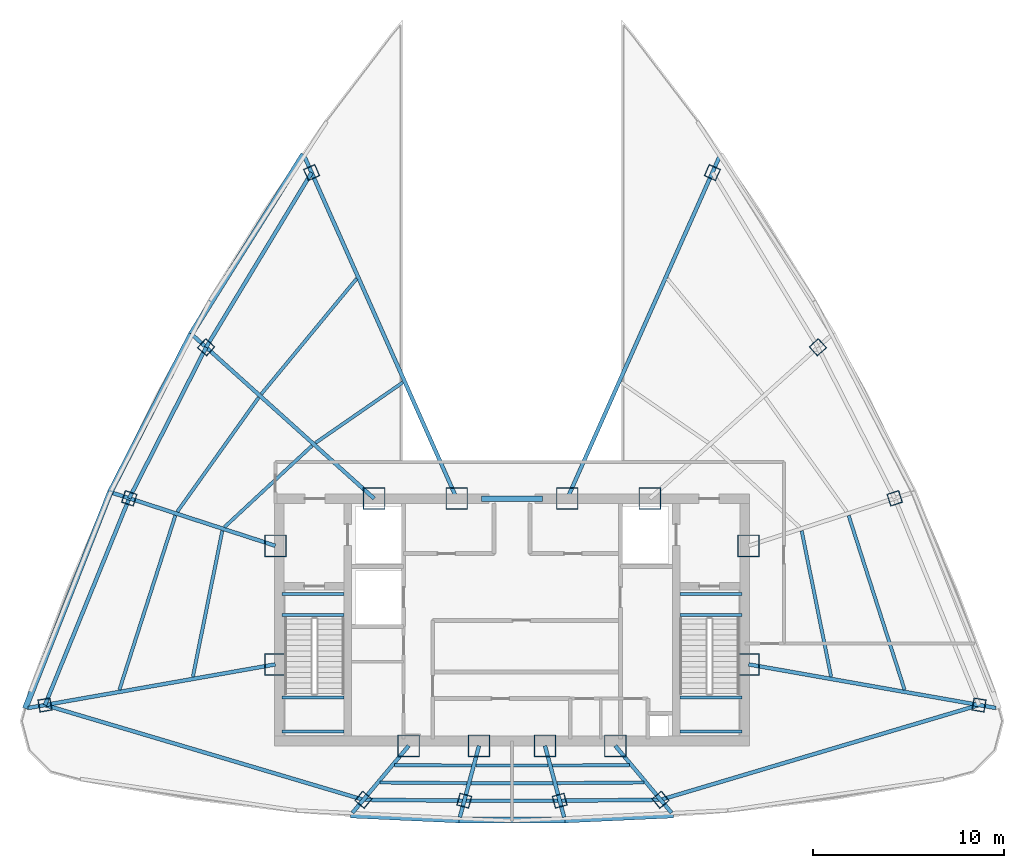
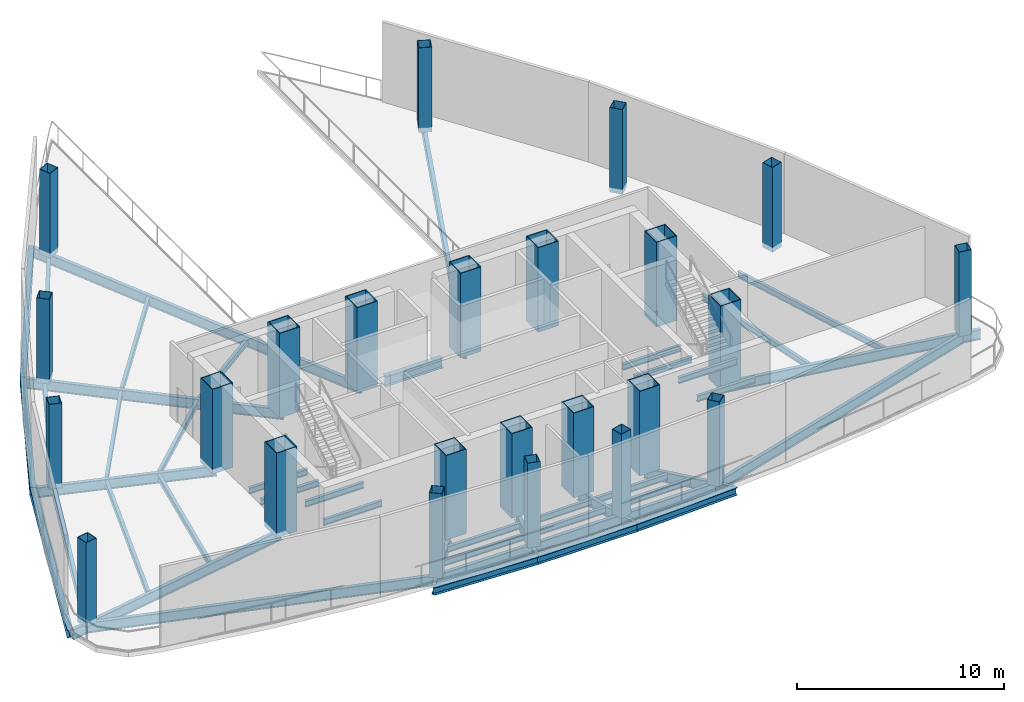
# One storey, part 1 of 6: 47 beams, 24 columns.
"""IFC4 building model written with IfcOpenShell, lengths in metres."""

from ifc_helpers import new_model, si_unit, direction, frame, origin, origin_2d, place, context, subcontext, project, spatial, hollow_rectangle, i_section, extrude, source, transform, mapped, material, material_profile, profile_set, type_object, element, save


model = new_model("IFC4")

# Units and contexts
model_context = context("Model", 3, precision=1e-05, world=origin(), true_north=direction((0.0, 1.0)))
body_context = subcontext(model_context, "Body", "Model", "MODEL_VIEW")
ifc_project = project(units=[si_unit("LENGTHUNIT", "METRE"), si_unit("AREAUNIT", "SQUARE_METRE"), si_unit("VOLUMEUNIT", "CUBIC_METRE"), si_unit("PLANEANGLEUNIT", "RADIAN"), si_unit("MASSUNIT", "GRAM", prefix="KILO"), si_unit("THERMODYNAMICTEMPERATUREUNIT", "KELVIN"), si_unit("POWERUNIT", "WATT")], contexts=[model_context])

# Site, building, storey
site_placement = place(None, origin())
site = spatial("IfcSite", under=ifc_project, at=site_placement, CompositionType="ELEMENT")
building_placement = place(site_placement, origin())
building = spatial("IfcBuilding", under=site, at=building_placement, Name="Yunzhuo Pagoda Commons", CompositionType="ELEMENT")
storey_placement = place(building_placement, frame((0.0, 0.0, 376.760009765625)))
storey = spatial("IfcBuildingStorey", under=building, at=storey_placement, Name="L94", CompositionType="ELEMENT", Elevation=376.760009765625)

# Columns
ifc_material_1 = material(Name="Structural steel Q420B", Category="steel")
ifc_material_profile_1 = material_profile(ifc_material_1, hollow_rectangle(XDim=1.14990234375, YDim=1.14990234375, WallThickness=0.048095703125, at=origin_2d()), Name="Structural steel Q420B")
ifc_profile_set_1 = profile_set([ifc_material_profile_1], Name="Structural steel Q420B")
column_type_1 = type_object("IfcColumnType", Name="C-COR Column BOX 1150x1150x48", PredefinedType="COLUMN", material=ifc_profile_set_1)
shared_shape_1 = source(origin(), body_context, "Body", "SweptSolid", [
    extrude(hollow_rectangle(XDim=1.14990234375, YDim=1.14990234375, WallThickness=0.048095703125, at=origin_2d()), origin(), (0.0, 0.0, 1.0), 5.0),
])
for number, where, z_axis, x_axis, name in (
    (1, (42.587890625, 27.25, -0.27978515625), (0.0, 0.0, 1.0), (1.0, 0.0, 0.0), "L94 core composite column F1C1"),
    (2, (46.27197265625, 27.25, -0.27978515625), (0.0, 0.0, 1.0), (1.0, 0.0, 0.0), "L94 core composite column F1C2"),
    (3, (49.728515625, 27.25, -0.27978515625), (0.0, 0.0, 1.0), (1.0, 0.0, 0.0), "L94 core composite column F1C3"),
    (4, (53.412109375, 27.25, -0.27978515625), (0.0, 0.0, 1.0), (1.0, 0.0, 0.0), "L94 core composite column F1C4"),
    (5, (60.39990234375, 31.513427734375, -0.27978515625), (0.0, 0.0, 1.0), (1.0, 0.0, 0.0), "L94 core composite column F2C1"),
    (6, (60.39990234375, 37.72900390625, -0.27978515625), (0.0, 0.0, 1.0), (1.0, 0.0, 0.0), "L94 core composite column F2C2"),
    (7, (55.218994140625, 40.199951171875, -0.27978515625), (0.0, 0.0, 1.0), (1.0, 0.0, 0.0), "L94 core composite column F2C3"),
    (8, (50.89404296875, 40.199951171875, -0.27978515625), (0.0, 0.0, 1.0), (1.0, 0.0, 0.0), "L94 core composite column F2C4"),
    (9, (45.10595703125, 40.199951171875, -0.27978515625), (0.0, 0.0, 1.0), (1.0, 0.0, 0.0), "L94 core composite column F3C1"),
    (10, (40.781005859375, 40.199951171875, -0.27978515625), (0.0, 0.0, 1.0), (1.0, 0.0, 0.0), "L94 core composite column F3C2"),
    (11, (35.60009765625, 37.72900390625, -0.27978515625), (0.0, 0.0, 1.0), (1.0, 0.0, 0.0), "L94 core composite column F3C3"),
    (12, (35.60009765625, 31.513427734375, -0.27978515625), (0.0, 0.0, 1.0), (1.0, 0.0, 0.0), "L94 core composite column F3C4"),
):
    element("IfcColumn", number, at=place(storey_placement, frame(where, z_axis=z_axis, x_axis=x_axis)), inside=storey, type_object=column_type_1, Name=name, PredefinedType="COLUMN", context=body_context, shape_type="MappedRepresentation", body=[
        mapped(shared_shape_1, transform((0.0, 0.0, 0.0), scale=1.0)),
    ])
ifc_material_2 = material(Name="Structural steel Q355B", Category="steel")
ifc_material_profile_2 = material_profile(ifc_material_2, hollow_rectangle(XDim=0.64990234375, YDim=0.64990234375, WallThickness=0.02392578125, at=origin_2d()), Name="Structural steel Q355B")
ifc_profile_set_2 = profile_set([ifc_material_profile_2], Name="Structural steel Q355B")
column_type_2 = type_object("IfcColumnType", Name="C-CRN Column BOX 650x650x24", PredefinedType="COLUMN", material=ifc_profile_set_2)
shared_shape_2 = source(origin(), body_context, "Body", "SweptSolid", [
    extrude(hollow_rectangle(XDim=0.64990234375, YDim=0.64990234375, WallThickness=0.02392578125, at=origin_2d()), origin(), (0.0, 0.0, 1.0), 5.0),
])
for number, where, z_axis, x_axis, name in (
    (13, (40.214599609375, 24.421630859375, -0.27978515625), (0.0, 0.0, 1.0), (0.766044443119, -0.642787609687, 0.0), "L94 tower column F1C1"),
    (14, (45.500732421875, 24.372802734375, -0.27978515625), (0.0, 0.0, 1.0), (0.965925826289, -0.258819045103, 0.0), "L94 tower column F1C2"),
    (15, (50.499267578125, 24.372802734375, -0.27978515625), (0.0, 0.0, 1.0), (0.965925826289, 0.258819045103, 0.0), "L94 tower column F1C3"),
    (16, (55.785400390625, 24.421630859375, -0.27978515625), (0.0, 0.0, 1.0), (0.766044443119, 0.642787609687, 0.0), "L94 tower column F1C4"),
    (17, (72.47021484375, 29.38525390625, -0.27978515625), (0.0, 0.0, 1.0), (0.173648177667, 0.984807753012, 0.0), "L94 tower column F2C1"),
    (18, (68.053466796875, 40.2158203125, -0.27978515625), (0.0, 0.0, 1.0), (-0.309016994375, 0.951056516295, 0.0), "L94 tower column F2C2"),
    (19, (64.024658203125, 48.128662109375, -0.27978515625), (0.0, 0.0, 1.0), (-0.669130606359, 0.743144825477, 0.0), "L94 tower column F2C3"),
    (20, (58.498779296875, 57.281005859375, -0.27978515625), (0.0, 0.0, 1.0), (-0.913545457643, 0.406736643076, 0.0), "L94 tower column F2C4"),
    (21, (37.501220703125, 57.281005859375, -0.27978515625), (0.0, 0.0, 1.0), (-0.913545457643, -0.406736643076, 0.0), "L94 tower column F3C1"),
    (22, (31.975341796875, 48.128662109375, -0.27978515625), (0.0, 0.0, 1.0), (-0.669130606359, -0.743144825477, 0.0), "L94 tower column F3C2"),
    (23, (27.946533203125, 40.2158203125, -0.27978515625), (0.0, 0.0, 1.0), (-0.309016994375, -0.951056516295, 0.0), "L94 tower column F3C3"),
    (24, (23.52978515625, 29.38525390625, -0.27978515625), (0.0, 0.0, 1.0), (0.173648177667, -0.984807753012, 0.0), "L94 tower column F3C4"),
):
    element("IfcColumn", number, at=place(storey_placement, frame(where, z_axis=z_axis, x_axis=x_axis)), inside=storey, type_object=column_type_2, Name=name, PredefinedType="COLUMN", context=body_context, shape_type="MappedRepresentation", body=[
        mapped(shared_shape_2, transform((0.0, 0.0, 0.0), scale=1.0)),
    ])

# Beams
ifc_material_profile_3 = material_profile(ifc_material_2, i_section(OverallWidth=0.175048828125, OverallDepth=0.35009765625, WebThickness=0.007080078125, FlangeThickness=0.010986328125, at=origin_2d()), Name="Structural steel Q355B")
ifc_profile_set_3 = profile_set([ifc_material_profile_3], Name="Structural steel Q355B")
beam_type_1 = type_object("IfcBeamType", Name="B-JS2 Joist HN 350x175x7x11", PredefinedType="JOIST", material=ifc_profile_set_3)
shared_shape_3 = source(origin(), body_context, "Body", "SweptSolid", [
    extrude(i_section(OverallWidth=0.175048828125, OverallDepth=0.35009765625, WebThickness=0.007080078125, FlangeThickness=0.010986328125, at=origin_2d()), origin(), (0.0, 0.0, 1.0), 3.25),
])
for number, where, z_axis, x_axis, name in (
    (25, (35.949951171875, 28.0, 2.125), (1.0, 0.0, 0.0), (0.0, 1.0, 0.0), "L94 ST1 landing support beam 100A"),
    (26, (35.949951171875, 29.780029296875, 2.125), (1.0, 0.0, 0.0), (0.0, 1.0, 0.0), "L94 ST1 landing support beam 100B"),
    (27, (35.949951171875, 34.10009765625, -0.375), (1.0, 0.0, 0.0), (0.0, 1.0, 0.0), "L94 ST1 landing support beam 198A"),
    (28, (35.949951171875, 35.199951171875, -0.375), (1.0, 0.0, 0.0), (0.0, 1.0, 0.0), "L94 ST1 landing support beam 198B"),
    (29, (56.800048828125, 28.0, 2.125), (1.0, 0.0, 0.0), (0.0, 1.0, 0.0), "L94 ST2 landing support beam 100A"),
    (30, (56.800048828125, 29.780029296875, 2.125), (1.0, 0.0, 0.0), (0.0, 1.0, 0.0), "L94 ST2 landing support beam 100B"),
    (31, (56.800048828125, 34.10009765625, -0.375), (1.0, 0.0, 0.0), (0.0, 1.0, 0.0), "L94 ST2 landing support beam 198A"),
    (32, (56.800048828125, 35.199951171875, -0.375), (1.0, 0.0, 0.0), (0.0, 1.0, 0.0), "L94 ST2 landing support beam 198B"),
):
    element("IfcBeam", number, at=place(storey_placement, frame(where, z_axis=z_axis, x_axis=x_axis)), inside=storey, type_object=beam_type_1, Name=name, PredefinedType="JOIST", context=body_context, shape_type="MappedRepresentation", body=[
        mapped(shared_shape_3, transform((0.0, 0.0, 0.0), scale=1.0)),
    ])
ifc_material_profile_4 = material_profile(ifc_material_1, i_section(OverallWidth=0.300048828125, OverallDepth=0.587890625, WebThickness=0.011962890625, FlangeThickness=0.02001953125, at=origin_2d()), Name="Structural steel Q420B")
ifc_profile_set_4 = profile_set([ifc_material_profile_4], Name="Structural steel Q420B")
beam_type_2 = type_object("IfcBeamType", Name="B-CPL Beam HM 588x300x12x20", PredefinedType="BEAM", material=ifc_profile_set_4)
shared_shape_4 = source(origin(), body_context, "Body", "SweptSolid", [
    extrude(i_section(OverallWidth=0.300048828125, OverallDepth=0.587890625, WebThickness=0.011962890625, FlangeThickness=0.02001953125, at=origin_2d()), origin(), (0.0, 0.0, 1.0), 3.2001953125),
])
beam_1_placement = place(storey_placement, frame((46.39990234375, 40.199951171875, -0.573974609375), z_axis=(1.0, 0.0, 0.0), x_axis=(0.0, 1.0, 0.0)))
element("IfcBeam", 33, at=beam_1_placement, inside=storey, type_object=beam_type_2, Name="L94 core coupling girder", PredefinedType="BEAM", context=body_context, shape_type="MappedRepresentation", body=[
    mapped(shared_shape_4, transform((0.0, 0.0, 0.0), scale=1.0)),
])
ifc_material_profile_5 = material_profile(ifc_material_2, i_section(OverallWidth=0.199951171875, OverallDepth=0.60009765625, WebThickness=0.010986328125, FlangeThickness=0.01708984375, at=origin_2d()), Name="Structural steel Q355B")
ifc_profile_set_5 = profile_set([ifc_material_profile_5], Name="Structural steel Q355B")
beam_type_3 = type_object("IfcBeamType", Name="B-RG3 Beam HN 600x200x11x17", PredefinedType="BEAM", material=ifc_profile_set_5)
shared_shape_5 = source(origin(), body_context, "Body", "SweptSolid", [
    extrude(i_section(OverallWidth=0.199951171875, OverallDepth=0.60009765625, WebThickness=0.010986328125, FlangeThickness=0.01708984375, at=origin_2d()), origin(), (0.0, 0.0, 1.0), 5.286376953125),
])
for number, where, z_axis, x_axis, name in (
    (34, (40.214599609375, 24.421630859375, -0.580078125), (0.999957341442, -0.009236627946, 0.0), (0.009236627946, 0.999957341442, 0.0), "L94 column-ring beam 1"),
    (35, (50.499267578125, 24.372802734375, -0.580078125), (0.999957341442, 0.009236627946, 0.0), (-0.009236627946, 0.999957341442, 0.0), "L94 column-ring beam 3"),
):
    element("IfcBeam", number, at=place(storey_placement, frame(where, z_axis=z_axis, x_axis=x_axis)), inside=storey, type_object=beam_type_3, Name=name, PredefinedType="BEAM", context=body_context, shape_type="MappedRepresentation", body=[
        mapped(shared_shape_5, transform((0.0, 0.0, 0.0), scale=1.0)),
    ])
shared_shape_6 = source(origin(), body_context, "Body", "SweptSolid", [
    extrude(i_section(OverallWidth=0.199951171875, OverallDepth=0.60009765625, WebThickness=0.010986328125, FlangeThickness=0.01708984375, at=origin_2d()), origin(), (0.0, 0.0, 1.0), 4.99853515625),
])
beam_2_placement = place(storey_placement, frame((45.500732421875, 24.372802734375, -0.580078125), z_axis=(1.0, 0.0, 0.0), x_axis=(0.0, 1.0, 0.0)))
element("IfcBeam", 36, at=beam_2_placement, inside=storey, type_object=beam_type_3, Name="L94 column-ring beam 2", PredefinedType="BEAM", context=body_context, shape_type="MappedRepresentation", body=[
    mapped(shared_shape_6, transform((0.0, 0.0, 0.0), scale=1.0)),
])
shared_shape_7 = source(origin(), body_context, "Body", "SweptSolid", [
    extrude(i_section(OverallWidth=0.199951171875, OverallDepth=0.60009765625, WebThickness=0.010986328125, FlangeThickness=0.01708984375, at=origin_2d()), origin(), (0.0, 0.0, 1.0), 17.407470703125),
])
for number, where, z_axis, x_axis, name in (
    (37, (55.785400390625, 24.421630859375, -0.580078125), (0.958484984609, 0.285143006717, 0.0), (-0.285143006717, 0.958484984609, 0.0), "L94 column-ring beam 4"),
    (38, (23.52978515625, 29.38525390625, -0.580078125), (0.958484984609, -0.285143006717, 0.0), (0.285143006717, 0.958484984609, 0.0), "L94 column-ring beam 12"),
):
    element("IfcBeam", number, at=place(storey_placement, frame(where, z_axis=z_axis, x_axis=x_axis)), inside=storey, type_object=beam_type_3, Name=name, PredefinedType="BEAM", context=body_context, shape_type="MappedRepresentation", body=[
        mapped(shared_shape_7, transform((0.0, 0.0, 0.0), scale=1.0)),
    ])
shared_shape_8 = source(origin(), body_context, "Body", "SweptSolid", [
    extrude(i_section(OverallWidth=0.199951171875, OverallDepth=0.60009765625, WebThickness=0.010986328125, FlangeThickness=0.01708984375, at=origin_2d()), origin(), (0.0, 0.0, 1.0), 11.696533203125),
])
beam_3_placement = place(storey_placement, frame((27.946533203125, 40.2158203125, -0.580078125), z_axis=(-0.377611800863, -0.925963999219, 0.0), x_axis=(0.925963999219, -0.377611800863, 0.0)))
element("IfcBeam", 39, at=beam_3_placement, inside=storey, type_object=beam_type_3, Name="L94 column-ring beam 11", PredefinedType="BEAM", context=body_context, shape_type="MappedRepresentation", body=[
    mapped(shared_shape_8, transform((0.0, 0.0, 0.0), scale=1.0)),
])
shared_shape_9 = source(origin(), body_context, "Body", "SweptSolid", [
    extrude(i_section(OverallWidth=0.199951171875, OverallDepth=0.60009765625, WebThickness=0.010986328125, FlangeThickness=0.01708984375, at=origin_2d()), origin(), (0.0, 0.0, 1.0), 8.87939453125),
])
beam_4_placement = place(storey_placement, frame((31.975341796875, 48.128662109375, -0.580078125), z_axis=(-0.453723535687, -0.891142498798, 0.0), x_axis=(0.891142498798, -0.453723535687, 0.0)))
element("IfcBeam", 40, at=beam_4_placement, inside=storey, type_object=beam_type_3, Name="L94 column-ring beam 10", PredefinedType="BEAM", context=body_context, shape_type="MappedRepresentation", body=[
    mapped(shared_shape_9, transform((0.0, 0.0, 0.0), scale=1.0)),
])
shared_shape_10 = source(origin(), body_context, "Body", "SweptSolid", [
    extrude(i_section(OverallWidth=0.199951171875, OverallDepth=0.60009765625, WebThickness=0.010986328125, FlangeThickness=0.01708984375, at=origin_2d()), origin(), (0.0, 0.0, 1.0), 10.691162109375),
])
beam_5_placement = place(storey_placement, frame((37.501220703125, 57.281005859375, -0.580078125), z_axis=(-0.516864678433, -0.856067114301, 0.0), x_axis=(0.856067114301, -0.516864678433, 0.0)))
element("IfcBeam", 41, at=beam_5_placement, inside=storey, type_object=beam_type_3, Name="L94 column-ring beam 9", PredefinedType="BEAM", context=body_context, shape_type="MappedRepresentation", body=[
    mapped(shared_shape_10, transform((0.0, 0.0, 0.0), scale=1.0)),
])
shared_shape_11 = source(origin(), body_context, "Body", "SweptSolid", [
    extrude(i_section(OverallWidth=0.175048828125, OverallDepth=0.35009765625, WebThickness=0.007080078125, FlangeThickness=0.010986328125, at=origin_2d()), origin(), (0.0, 0.0, 1.0), 4.03076171875),
])
for number, where, z_axis, x_axis, name in (
    (42, (41.848388671875, 26.231201171875, -0.455078125), (0.999991518197, -0.004118680996, 0.0), (0.004118680996, 0.999991518197, 0.0), "L94 composite ring joist 1.1"),
    (43, (50.120849609375, 26.214599609375, -0.455078125), (0.999991518197, 0.004118680996, 0.0), (-0.004118680996, 0.999991518197, 0.0), "L94 composite ring joist 1.3"),
):
    element("IfcBeam", number, at=place(storey_placement, frame(where, z_axis=z_axis, x_axis=x_axis)), inside=storey, type_object=beam_type_1, Name=name, PredefinedType="JOIST", context=body_context, shape_type="MappedRepresentation", body=[
        mapped(shared_shape_11, transform((0.0, 0.0, 0.0), scale=1.0)),
    ])
shared_shape_12 = source(origin(), body_context, "Body", "SweptSolid", [
    extrude(i_section(OverallWidth=0.175048828125, OverallDepth=0.35009765625, WebThickness=0.007080078125, FlangeThickness=0.010986328125, at=origin_2d()), origin(), (0.0, 0.0, 1.0), 4.54345703125),
])
for number, where, z_axis, x_axis, name in (
    (44, (41.089111328125, 25.325927734375, -0.455078125), (0.999975976237, -0.006931590593, 0.0), (0.006931590593, 0.999975976237, 0.0), "L94 composite ring joist 2.1"),
    (45, (50.367431640625, 25.29443359375, -0.455078125), (0.999975976237, 0.006931590593, 0.0), (-0.006931590593, 0.999975976237, 0.0), "L94 composite ring joist 2.3"),
):
    element("IfcBeam", number, at=place(storey_placement, frame(where, z_axis=z_axis, x_axis=x_axis)), inside=storey, type_object=beam_type_1, Name=name, PredefinedType="JOIST", context=body_context, shape_type="MappedRepresentation", body=[
        mapped(shared_shape_12, transform((0.0, 0.0, 0.0), scale=1.0)),
    ])
shared_shape_13 = source(origin(), body_context, "Body", "SweptSolid", [
    extrude(i_section(OverallWidth=0.175048828125, OverallDepth=0.35009765625, WebThickness=0.007080078125, FlangeThickness=0.010986328125, at=origin_2d()), origin(), (0.0, 0.0, 1.0), 3.78173828125),
])
beam_6_placement = place(storey_placement, frame((46.109130859375, 26.214111328125, -0.455078125), z_axis=(1.0, 0.0, 0.0), x_axis=(0.0, 1.0, 0.0)))
element("IfcBeam", 46, at=beam_6_placement, inside=storey, type_object=beam_type_1, Name="L94 composite ring joist 1.2", PredefinedType="JOIST", context=body_context, shape_type="MappedRepresentation", body=[
    mapped(shared_shape_13, transform((0.0, 0.0, 0.0), scale=1.0)),
])
shared_shape_14 = source(origin(), body_context, "Body", "SweptSolid", [
    extrude(i_section(OverallWidth=0.175048828125, OverallDepth=0.35009765625, WebThickness=0.007080078125, FlangeThickness=0.010986328125, at=origin_2d()), origin(), (0.0, 0.0, 1.0), 4.27490234375),
])
beam_7_placement = place(storey_placement, frame((45.862548828125, 25.29345703125, -0.455078125), z_axis=(1.0, 0.0, 0.0), x_axis=(0.0, 1.0, 0.0)))
element("IfcBeam", 47, at=beam_7_placement, inside=storey, type_object=beam_type_1, Name="L94 composite ring joist 2.2", PredefinedType="JOIST", context=body_context, shape_type="MappedRepresentation", body=[
    mapped(shared_shape_14, transform((0.0, 0.0, 0.0), scale=1.0)),
])
shared_shape_15 = source(origin(), body_context, "Body", "SweptSolid", [
    extrude(i_section(OverallWidth=0.175048828125, OverallDepth=0.35009765625, WebThickness=0.007080078125, FlangeThickness=0.010986328125, at=origin_2d()), origin(), (0.0, 0.0, 1.0), 7.8056640625),
])
for number, where, z_axis, x_axis, name in (
    (48, (64.722412109375, 30.860107421875, -0.455078125), (-0.197830082137, 0.980236327934, 0.0), (-0.980236327934, -0.197830082137, 0.0), "L94 composite ring joist 1.5"),
    (49, (32.822265625, 38.511474609375, -0.455078125), (-0.197890187791, -0.980224195568, 0.0), (0.980224195568, -0.197890187791, 0.0), "L94 composite ring joist 1.11"),
):
    element("IfcBeam", number, at=place(storey_placement, frame(where, z_axis=z_axis, x_axis=x_axis)), inside=storey, type_object=beam_type_1, Name=name, PredefinedType="JOIST", context=body_context, shape_type="MappedRepresentation", body=[
        mapped(shared_shape_15, transform((0.0, 0.0, 0.0), scale=1.0)),
    ])
shared_shape_16 = source(origin(), body_context, "Body", "SweptSolid", [
    extrude(i_section(OverallWidth=0.175048828125, OverallDepth=0.35009765625, WebThickness=0.007080078125, FlangeThickness=0.010986328125, at=origin_2d()), origin(), (0.0, 0.0, 1.0), 9.593994140625),
])
for number, where, z_axis, x_axis, name in (
    (50, (68.572509765625, 30.17578125, -0.455078125), (-0.305719218499, 0.952121714614, 0.0), (-0.952121714614, -0.305719218499, 0.0), "L94 composite ring joist 2.5"),
    (51, (30.360595703125, 39.310546875, -0.455078125), (-0.305719218499, -0.952121714614, 0.0), (0.952121714614, -0.305719218499, 0.0), "L94 composite ring joist 2.11"),
):
    element("IfcBeam", number, at=place(storey_placement, frame(where, z_axis=z_axis, x_axis=x_axis)), inside=storey, type_object=beam_type_1, Name=name, PredefinedType="JOIST", context=body_context, shape_type="MappedRepresentation", body=[
        mapped(shared_shape_16, transform((0.0, 0.0, 0.0), scale=1.0)),
    ])
shared_shape_17 = source(origin(), body_context, "Body", "SweptSolid", [
    extrude(i_section(OverallWidth=0.175048828125, OverallDepth=0.35009765625, WebThickness=0.007080078125, FlangeThickness=0.010986328125, at=origin_2d()), origin(), (0.0, 0.0, 1.0), 6.277099609375),
])
beam_8_placement = place(storey_placement, frame((37.526611328125, 42.97607421875, -0.455078125), z_axis=(-0.73244154109, -0.68082992655, 0.0), x_axis=(0.68082992655, -0.73244154109, 0.0)))
element("IfcBeam", 52, at=beam_8_placement, inside=storey, type_object=beam_type_1, Name="L94 composite ring joist 1.10", PredefinedType="JOIST", context=body_context, shape_type="MappedRepresentation", body=[
    mapped(shared_shape_17, transform((0.0, 0.0, 0.0), scale=1.0)),
])
shared_shape_18 = source(origin(), body_context, "Body", "SweptSolid", [
    extrude(i_section(OverallWidth=0.175048828125, OverallDepth=0.35009765625, WebThickness=0.007080078125, FlangeThickness=0.010986328125, at=origin_2d()), origin(), (0.0, 0.0, 1.0), 7.347900390625),
])
beam_9_placement = place(storey_placement, frame((34.726318359375, 45.497802734375, -0.455078125), z_axis=(-0.580294898948, -0.814406428177, 0.0), x_axis=(0.814406428177, -0.580294898948, 0.0)))
element("IfcBeam", 53, at=beam_9_placement, inside=storey, type_object=beam_type_1, Name="L94 composite ring joist 2.10", PredefinedType="JOIST", context=body_context, shape_type="MappedRepresentation", body=[
    mapped(shared_shape_18, transform((0.0, 0.0, 0.0), scale=1.0)),
])
shared_shape_19 = source(origin(), body_context, "Body", "SweptSolid", [
    extrude(i_section(OverallWidth=0.175048828125, OverallDepth=0.35009765625, WebThickness=0.007080078125, FlangeThickness=0.010986328125, at=origin_2d()), origin(), (0.0, 0.0, 1.0), 5.556640625),
])
beam_10_placement = place(storey_placement, frame((42.273681640625, 46.28369140625, -0.455078125), z_axis=(-0.822084621883, -0.569365326011, 0.0), x_axis=(0.569365326011, -0.822084621883, 0.0)))
element("IfcBeam", 54, at=beam_10_placement, inside=storey, type_object=beam_type_1, Name="L94 composite ring joist 1.9", PredefinedType="JOIST", context=body_context, shape_type="MappedRepresentation", body=[
    mapped(shared_shape_19, transform((0.0, 0.0, 0.0), scale=1.0)),
])
shared_shape_20 = source(origin(), body_context, "Body", "SweptSolid", [
    extrude(i_section(OverallWidth=0.175048828125, OverallDepth=0.35009765625, WebThickness=0.007080078125, FlangeThickness=0.010986328125, at=origin_2d()), origin(), (0.0, 0.0, 1.0), 7.842529296875),
])
beam_11_placement = place(storey_placement, frame((39.861328125, 51.726318359375, -0.455078125), z_axis=(-0.636899145749, -0.770947130577, 0.0), x_axis=(0.770947130577, -0.636899145749, 0.0)))
element("IfcBeam", 55, at=beam_11_placement, inside=storey, type_object=beam_type_1, Name="L94 composite ring joist 2.9", PredefinedType="JOIST", context=body_context, shape_type="MappedRepresentation", body=[
    mapped(shared_shape_20, transform((0.0, 0.0, 0.0), scale=1.0)),
])
shared_shape_21 = source(origin(), body_context, "Body", "SweptSolid", [
    extrude(i_section(OverallWidth=0.199951171875, OverallDepth=0.60009765625, WebThickness=0.010986328125, FlangeThickness=0.01708984375, at=origin_2d()), origin(), (0.0, 0.0, 1.0), 4.587158203125),
])
for number, where, z_axis, x_axis, name in (
    (56, (39.639404296875, 23.736083984375, -0.580078125), (0.642782581433, 0.766048662297, 0.0), (-0.766048662297, 0.642782581433, 0.0), "L94 radial floor girder F1C1"),
    (57, (56.360595703125, 23.736083984375, -0.580078125), (-0.642782581433, 0.766048662297, 0.0), (-0.766048662297, -0.642782581433, 0.0), "L94 radial floor girder F1C4"),
):
    element("IfcBeam", number, at=place(storey_placement, frame(where, z_axis=z_axis, x_axis=x_axis)), inside=storey, type_object=beam_type_3, Name=name, PredefinedType="BEAM", context=body_context, shape_type="MappedRepresentation", body=[
        mapped(shared_shape_21, transform((0.0, 0.0, 0.0), scale=1.0)),
    ])
shared_shape_22 = source(origin(), body_context, "Body", "SweptSolid", [
    extrude(i_section(OverallWidth=0.199951171875, OverallDepth=0.60009765625, WebThickness=0.010986328125, FlangeThickness=0.01708984375, at=origin_2d()), origin(), (0.0, 0.0, 1.0), 3.873779296875),
])
beam_12_placement = place(storey_placement, frame((45.269287109375, 23.50830078125, -0.580078125), z_axis=(0.258843194056, 0.965919355273, 0.0), x_axis=(-0.965919355273, 0.258843194056, 0.0)))
element("IfcBeam", 58, at=beam_12_placement, inside=storey, type_object=beam_type_3, Name="L94 radial floor girder F1C2", PredefinedType="BEAM", context=body_context, shape_type="MappedRepresentation", body=[
    mapped(shared_shape_22, transform((0.0, 0.0, 0.0), scale=1.0)),
])
shared_shape_23 = source(origin(), body_context, "Body", "SweptSolid", [
    extrude(i_section(OverallWidth=0.199951171875, OverallDepth=0.60009765625, WebThickness=0.010986328125, FlangeThickness=0.01708984375, at=origin_2d()), origin(), (0.0, 0.0, 1.0), 3.87353515625),
])
beam_13_placement = place(storey_placement, frame((50.730712890625, 23.50830078125, -0.580078125), z_axis=(-0.258725583844, 0.965950864312, 0.0), x_axis=(-0.965950864312, -0.258725583844, 0.0)))
element("IfcBeam", 59, at=beam_13_placement, inside=storey, type_object=beam_type_3, Name="L94 radial floor girder F1C3", PredefinedType="BEAM", context=body_context, shape_type="MappedRepresentation", body=[
    mapped(shared_shape_23, transform((0.0, 0.0, 0.0), scale=1.0)),
])
shared_shape_24 = source(origin(), body_context, "Body", "SweptSolid", [
    extrude(i_section(OverallWidth=0.199951171875, OverallDepth=0.60009765625, WebThickness=0.010986328125, FlangeThickness=0.01708984375, at=origin_2d()), origin(), (0.0, 0.0, 1.0), 13.151611328125),
])
beam_14_placement = place(storey_placement, frame((73.351806640625, 29.229736328125, -0.580078125), z_axis=(-0.98480877727, 0.173642368713, 0.0), x_axis=(-0.173642368713, -0.98480877727, 0.0)))
element("IfcBeam", 60, at=beam_14_placement, inside=storey, type_object=beam_type_3, Name="L94 radial floor girder F2C1", PredefinedType="BEAM", context=body_context, shape_type="MappedRepresentation", body=[
    mapped(shared_shape_24, transform((0.0, 0.0, 0.0), scale=1.0)),
])
shared_shape_25 = source(origin(), body_context, "Body", "SweptSolid", [
    extrude(i_section(OverallWidth=0.199951171875, OverallDepth=0.60009765625, WebThickness=0.010986328125, FlangeThickness=0.01708984375, at=origin_2d()), origin(), (0.0, 0.0, 1.0), 8.942626953125),
])
beam_15_placement = place(storey_placement, frame((27.09521484375, 40.492431640625, -0.580078125), z_axis=(0.951055734301, -0.309019401095, 0.0), x_axis=(0.309019401095, 0.951055734301, 0.0)))
element("IfcBeam", 61, at=beam_15_placement, inside=storey, type_object=beam_type_3, Name="L94 radial floor girder F3C3", PredefinedType="BEAM", context=body_context, shape_type="MappedRepresentation", body=[
    mapped(shared_shape_25, transform((0.0, 0.0, 0.0), scale=1.0)),
])
shared_shape_26 = source(origin(), body_context, "Body", "SweptSolid", [
    extrude(i_section(OverallWidth=0.199951171875, OverallDepth=0.60009765625, WebThickness=0.010986328125, FlangeThickness=0.01708984375, at=origin_2d()), origin(), (0.0, 0.0, 1.0), 12.744140625),
])
beam_16_placement = place(storey_placement, frame((31.310302734375, 48.7275390625, -0.580078125), z_axis=(0.743139811769, -0.669136174605, 0.0), x_axis=(0.669136174605, 0.743139811769, 0.0)))
element("IfcBeam", 62, at=beam_16_placement, inside=storey, type_object=beam_type_3, Name="L94 radial floor girder F3C2", PredefinedType="BEAM", context=body_context, shape_type="MappedRepresentation", body=[
    mapped(shared_shape_26, transform((0.0, 0.0, 0.0), scale=1.0)),
])
shared_shape_27 = source(origin(), body_context, "Body", "SweptSolid", [
    extrude(i_section(OverallWidth=0.199951171875, OverallDepth=0.60009765625, WebThickness=0.010986328125, FlangeThickness=0.01708984375, at=origin_2d()), origin(), (0.0, 0.0, 1.0), 19.59228515625),
])
for number, where, z_axis, x_axis, name in (
    (63, (58.86279296875, 58.098388671875, -0.580078125), (-0.406730347382, -0.91354826064, 0.0), (0.91354826064, -0.406730347382, 0.0), "L94 radial floor girder F2C4"),
    (64, (37.13720703125, 58.098388671875, -0.580078125), (0.406730347382, -0.91354826064, 0.0), (0.91354826064, 0.406730347382, 0.0), "L94 radial floor girder F3C1"),
):
    element("IfcBeam", number, at=place(storey_placement, frame(where, z_axis=z_axis, x_axis=x_axis)), inside=storey, type_object=beam_type_3, Name=name, PredefinedType="BEAM", context=body_context, shape_type="MappedRepresentation", body=[
        mapped(shared_shape_27, transform((0.0, 0.0, 0.0), scale=1.0)),
    ])
shared_shape_28 = source(origin(), body_context, "Body", "SweptSolid", [
    extrude(i_section(OverallWidth=0.199951171875, OverallDepth=0.60009765625, WebThickness=0.010986328125, FlangeThickness=0.01708984375, at=origin_2d()), origin(), (0.0, 0.0, 1.0), 13.151123046875),
])
beam_17_placement = place(storey_placement, frame((22.648681640625, 29.229736328125, -0.580078125), z_axis=(0.984807657771, 0.173648717804, 0.0), x_axis=(-0.173648717804, 0.984807657771, 0.0)))
element("IfcBeam", 65, at=beam_17_placement, inside=storey, type_object=beam_type_3, Name="L94 radial floor girder F3C4", PredefinedType="BEAM", context=body_context, shape_type="MappedRepresentation", body=[
    mapped(shared_shape_28, transform((0.0, 0.0, 0.0), scale=1.0)),
])
ifc_material_profile_6 = material_profile(ifc_material_2, i_section(OverallWidth=0.300048828125, OverallDepth=0.43994140625, WebThickness=0.010986328125, FlangeThickness=0.01806640625, at=origin_2d()), Name="Structural steel Q355B")
ifc_profile_set_6 = profile_set([ifc_material_profile_6], Name="Structural steel Q355B")
beam_type_4 = type_object("IfcBeamType", Name="B-SP2 Beam HM 440x300x11x18", PredefinedType="BEAM", material=ifc_profile_set_6)
shared_shape_29 = source(origin(), body_context, "Body", "SweptSolid", [
    extrude(i_section(OverallWidth=0.300048828125, OverallDepth=0.43994140625, WebThickness=0.010986328125, FlangeThickness=0.01806640625, at=origin_2d()), origin(), (0.0, 0.0, 1.0), 5.6953125),
])
for number, where, z_axis, x_axis, name in (
    (66, (39.53955078125, 23.617431640625, -0.5), (0.998967125564, -0.045438772447, 0.0), (0.045438772447, 0.998967125564, 0.0), "L94 facade edge spandrel beam F1.1"),
    (67, (50.77099609375, 23.358642578125, -0.5), (0.998967125564, 0.045438772447, 0.0), (-0.045438772447, 0.998967125564, 0.0), "L94 facade edge spandrel beam F1.3"),
):
    element("IfcBeam", number, at=place(storey_placement, frame(where, z_axis=z_axis, x_axis=x_axis)), inside=storey, type_object=beam_type_4, Name=name, PredefinedType="BEAM", context=body_context, shape_type="MappedRepresentation", body=[
        mapped(shared_shape_29, transform((0.0, 0.0, 0.0), scale=1.0)),
    ])
shared_shape_30 = source(origin(), body_context, "Body", "SweptSolid", [
    extrude(i_section(OverallWidth=0.300048828125, OverallDepth=0.43994140625, WebThickness=0.010986328125, FlangeThickness=0.01806640625, at=origin_2d()), origin(), (0.0, 0.0, 1.0), 5.5419921875),
])
beam_18_placement = place(storey_placement, frame((45.22900390625, 23.358642578125, -0.5), z_axis=(1.0, 0.0, 0.0), x_axis=(0.0, 1.0, 0.0)))
element("IfcBeam", 68, at=beam_18_placement, inside=storey, type_object=beam_type_4, Name="L94 facade edge spandrel beam F1.2", PredefinedType="BEAM", context=body_context, shape_type="MappedRepresentation", body=[
    mapped(shared_shape_30, transform((0.0, 0.0, 0.0), scale=1.0)),
])
shared_shape_31 = source(origin(), body_context, "Body", "SweptSolid", [
    extrude(i_section(OverallWidth=0.300048828125, OverallDepth=0.43994140625, WebThickness=0.010986328125, FlangeThickness=0.01806640625, at=origin_2d()), origin(), (0.0, 0.0, 1.0), 12.18017578125),
])
beam_19_placement = place(storey_placement, frame((26.947998046875, 40.540283203125, -0.5), z_axis=(-0.365522138301, -0.930802646328, 0.0), x_axis=(0.930802646328, -0.365522138301, 0.0)))
element("IfcBeam", 69, at=beam_19_placement, inside=storey, type_object=beam_type_4, Name="L94 facade edge spandrel beam F3.3", PredefinedType="BEAM", context=body_context, shape_type="MappedRepresentation", body=[
    mapped(shared_shape_31, transform((0.0, 0.0, 0.0), scale=1.0)),
])
shared_shape_32 = source(origin(), body_context, "Body", "SweptSolid", [
    extrude(i_section(OverallWidth=0.300048828125, OverallDepth=0.43994140625, WebThickness=0.010986328125, FlangeThickness=0.01806640625, at=origin_2d()), origin(), (0.0, 0.0, 1.0), 9.3154296875),
])
beam_20_placement = place(storey_placement, frame((31.195068359375, 48.831298828125, -0.5), z_axis=(-0.455914353887, -0.89002365245, 0.0), x_axis=(0.89002365245, -0.455914353887, 0.0)))
element("IfcBeam", 70, at=beam_20_placement, inside=storey, type_object=beam_type_4, Name="L94 facade edge spandrel beam F3.2", PredefinedType="BEAM", context=body_context, shape_type="MappedRepresentation", body=[
    mapped(shared_shape_32, transform((0.0, 0.0, 0.0), scale=1.0)),
])
shared_shape_33 = source(origin(), body_context, "Body", "SweptSolid", [
    extrude(i_section(OverallWidth=0.300048828125, OverallDepth=0.43994140625, WebThickness=0.010986328125, FlangeThickness=0.01806640625, at=origin_2d()), origin(), (0.0, 0.0, 1.0), 11.094482421875),
])
beam_21_placement = place(storey_placement, frame((37.07421875, 58.239990234375, -0.5), z_axis=(-0.529915860294, -0.848050223164, 0.0), x_axis=(0.848050223164, -0.529915860294, 0.0)))
element("IfcBeam", 71, at=beam_21_placement, inside=storey, type_object=beam_type_4, Name="L94 facade edge spandrel beam F3.1", PredefinedType="BEAM", context=body_context, shape_type="MappedRepresentation", body=[
    mapped(shared_shape_33, transform((0.0, 0.0, 0.0), scale=1.0)),
])

save(model, "model.ifc")
